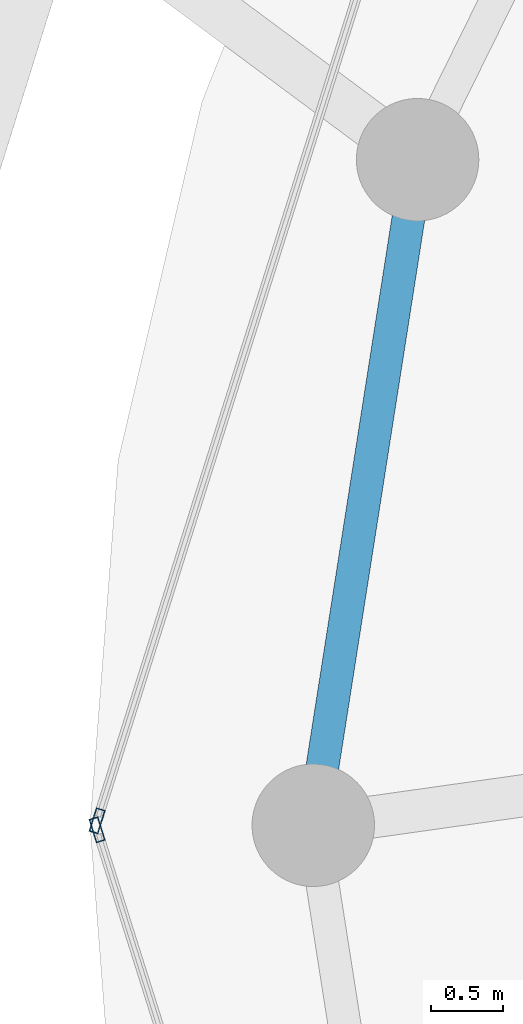
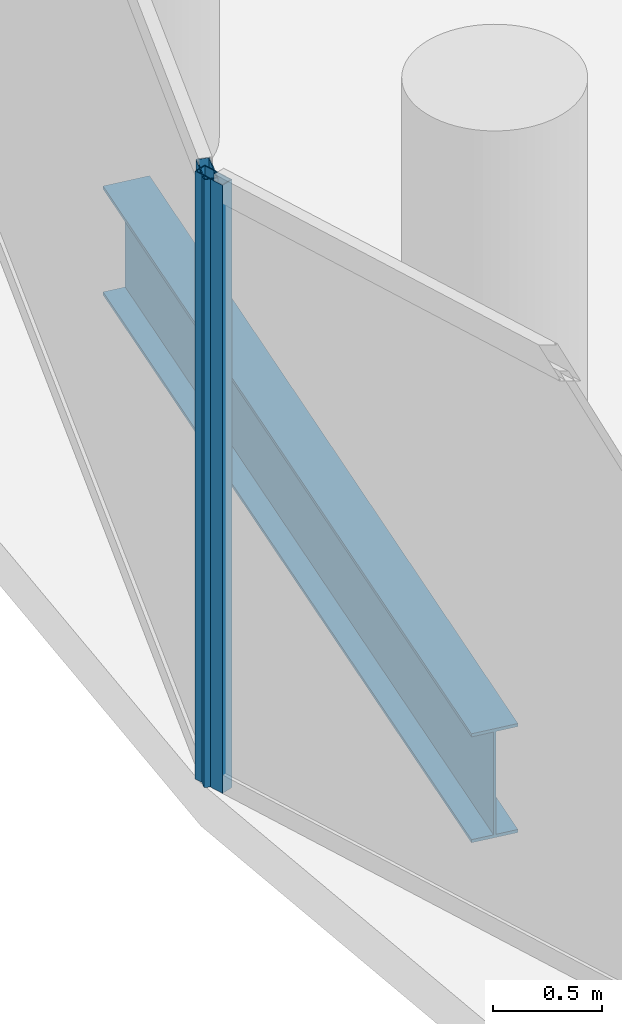
# One storey, part 7 of 27: 2 members, 1 beam, 2 elements without a shape of their own.
"""IFC4 building model written with IfcOpenShell, lengths in metres."""

from ifc_helpers import new_model, si_unit, direction, frame, origin, origin_2d, place, context, subcontext, project, spatial, hollow_rectangle, i_section, extrude, material, layer, layer_set, material_profile, profile_set, type_object, element, aggregate, save


model = new_model("IFC4")

# Units and contexts
model_context = context("Model", 3, precision=1e-05, world=origin(), true_north=direction((0.0, 1.0)))
body_context = subcontext(model_context, "Body", "Model", "MODEL_VIEW")
ifc_project = project(units=[si_unit("LENGTHUNIT", "METRE"), si_unit("AREAUNIT", "SQUARE_METRE"), si_unit("VOLUMEUNIT", "CUBIC_METRE"), si_unit("PLANEANGLEUNIT", "RADIAN"), si_unit("MASSUNIT", "GRAM", prefix="KILO")], contexts=[model_context])

# Site, building, storey
site_placement = place(None, origin())
site = spatial("IfcSite", under=ifc_project, at=site_placement, CompositionType="ELEMENT")
building_placement = place(site_placement, origin())
building = spatial("IfcBuilding", under=site, at=building_placement, Name="Nuhasar Tower", CompositionType="ELEMENT")
storey_placement = place(building_placement, frame((0.0, 0.0, 251.949951171875)))
storey = spatial("IfcBuildingStorey", under=building, at=storey_placement, Name="L62", CompositionType="ELEMENT", Elevation=251.949951171875)

# Beam
ifc_material_1 = material(Name="Steel S355", Category="steel")
ifc_material_profile_1 = material_profile(ifc_material_1, i_section(OverallWidth=0.22802734375, OverallDepth=0.60791015625, WebThickness=0.01123046875, FlangeThickness=0.017333984375, at=origin_2d()), Name="W24X76")
ifc_profile_set_1 = profile_set([ifc_material_profile_1], Name="Steel S355")
beam_type = type_object("IfcBeamType", Name="BM-RING-W24X76", PredefinedType="SPANDREL", material=ifc_profile_set_1)
beam_placement = place(storey_placement, frame((18.47412109375, 31.419921875, -0.5439453125), z_axis=(-0.154849872935, -0.987938012657, 0.0), x_axis=(0.987938012657, -0.154849872935, 0.0)))
element("IfcBeam", 1, at=beam_placement, inside=storey, type_object=beam_type, Name="L62 Perimeter Ring Spandrel 12", PredefinedType="SPANDREL", context=body_context, shape_type="SweptSolid", body=[
    extrude(i_section(OverallWidth=0.22802734375, OverallDepth=0.60791015625, WebThickness=0.01123046875, FlangeThickness=0.017333984375, at=origin_2d()), origin(), (0.0, 0.0, 1.0), 4.67626953125),
])

# Curtain wall, member
ifc_material_2 = material(Name="Aluminium 6063-T6", Category="aluminium")
ifc_layer = layer(ifc_material_2, 0.18994140625)
ifc_layer_set = layer_set([ifc_layer], Name="Aluminium 6063-T6")
curtain_wall_type = type_object("IfcCurtainWallType", Name="CW-Z3-RES", PredefinedType="NOTDEFINED", material=ifc_layer_set)
curtain_wall_1_placement = place(storey_placement, origin())
curtain_wall_1 = element("IfcCurtainWall", 2, at=curtain_wall_1_placement, inside=storey, type_object=curtain_wall_type, Name="L62 Unitised Curtain Wall 06", PredefinedType="NOTDEFINED")
ifc_material_profile_2 = material_profile(ifc_material_2, hollow_rectangle(XDim=0.06494140625, YDim=0.169921875, WallThickness=0.0048828125, at=origin_2d()), Name="CWM-4")
ifc_profile_set_2 = profile_set([ifc_material_profile_2], Name="Aluminium 6063-T6")
member_type = type_object("IfcMemberType", Name="CW-MUL-S4", PredefinedType="MULLION", material=ifc_profile_set_2)
member_1_placement = place(storey_placement, frame((16.249755859375, 26.8310546875, 0.0), z_axis=(0.0, 0.0, 1.0), x_axis=(0.95380429279, -0.30042864553, 0.0)))
member_1 = element("IfcMember", 3, at=member_1_placement, type_object=member_type, Name="CW-Z3 mullion 2", PredefinedType="MULLION", context=body_context, shape_type="SweptSolid", body=[
    extrude(hollow_rectangle(XDim=0.06494140625, YDim=0.169921875, WallThickness=0.0048828125, at=origin_2d()), origin(), (0.0, 0.0, 1.0), 3.39013671875),
])
aggregate(curtain_wall_1, [member_1])

curtain_wall_2_placement = place(storey_placement, origin())
curtain_wall_2 = element("IfcCurtainWall", 4, at=curtain_wall_2_placement, inside=storey, type_object=curtain_wall_type, Name="L62 Unitised Curtain Wall 07", PredefinedType="NOTDEFINED")
member_2_placement = place(storey_placement, frame((16.249755859375, 26.76904296875, 0.0), z_axis=(0.0, 0.0, 1.0), x_axis=(0.95380429279, 0.30042864553, 0.0)))
member_2 = element("IfcMember", 5, at=member_2_placement, type_object=member_type, Name="CW-Z3 mullion 1", PredefinedType="MULLION", context=body_context, shape_type="SweptSolid", body=[
    extrude(hollow_rectangle(XDim=0.06494140625, YDim=0.169921875, WallThickness=0.0048828125, at=origin_2d()), origin(), (0.0, 0.0, 1.0), 3.39013671875),
])
aggregate(curtain_wall_2, [member_2])

save(model, "model.ifc")
